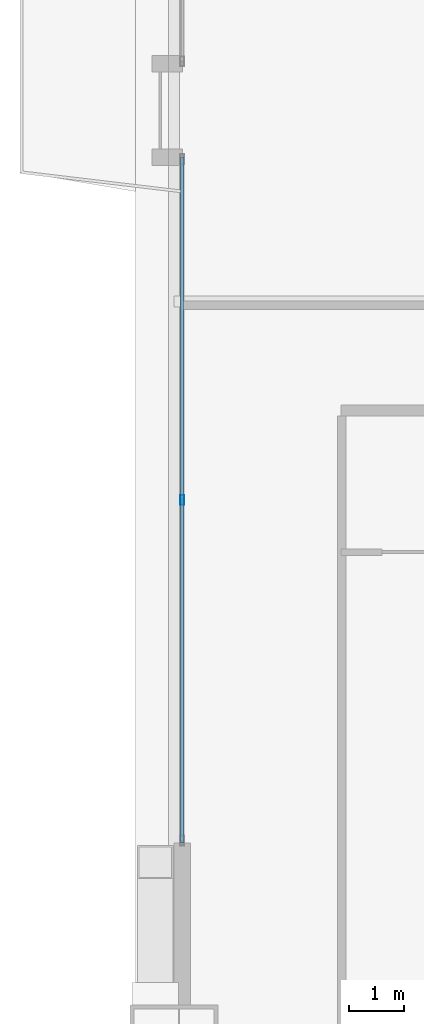
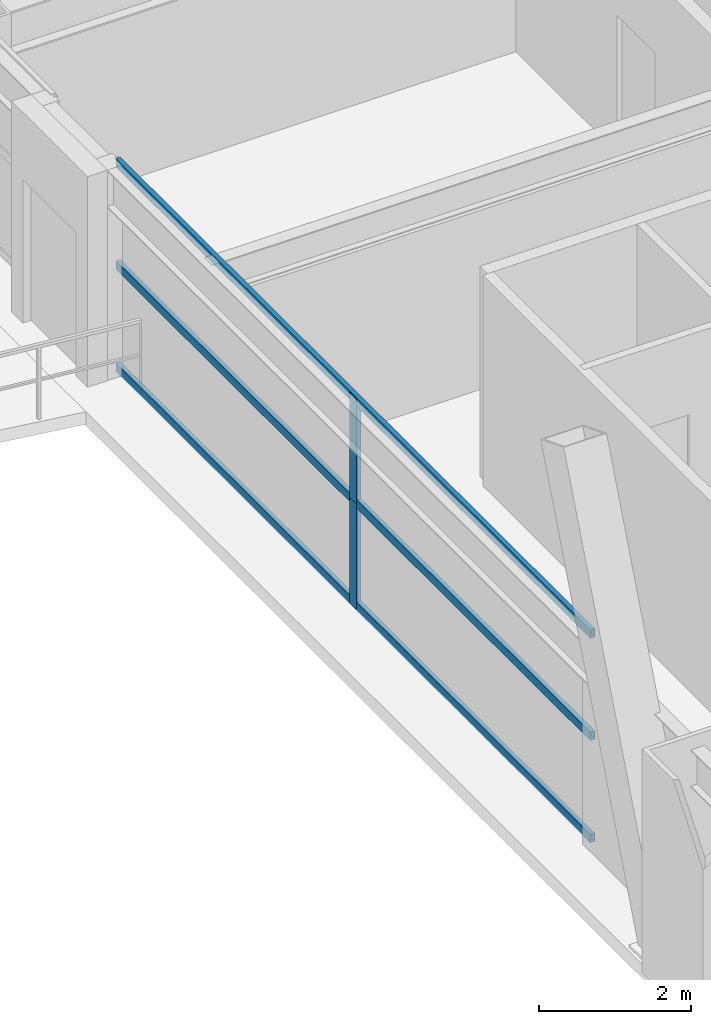
# One storey, part 8 of 42: 5 members, 1 element without a shape of its own.
"""IFC4 building model written with IfcOpenShell, lengths in metres."""

from ifc_helpers import new_model, si_unit, direction, frame, origin, origin_2d, place, context, subcontext, project, spatial, hollow_rectangle, extrude, source, transform, mapped, material, layer, layer_set, material_profile, profile_set, type_object, element, aggregate, save


model = new_model("IFC4")

# Units and contexts
model_context = context("Model", 3, precision=1e-05, world=origin(), true_north=direction((0.0, 1.0)))
body_context = subcontext(model_context, "Body", "Model", "MODEL_VIEW")
ifc_project = project(units=[si_unit("LENGTHUNIT", "METRE"), si_unit("AREAUNIT", "SQUARE_METRE"), si_unit("VOLUMEUNIT", "CUBIC_METRE"), si_unit("PLANEANGLEUNIT", "RADIAN"), si_unit("MASSUNIT", "GRAM", prefix="KILO"), si_unit("THERMODYNAMICTEMPERATUREUNIT", "KELVIN"), si_unit("POWERUNIT", "WATT")], contexts=[model_context])

# Site, building, storey
site_placement = place(None, origin())
site = spatial("IfcSite", under=ifc_project, at=site_placement, CompositionType="ELEMENT")
building_placement = place(site_placement, origin())
building = spatial("IfcBuilding", under=site, at=building_placement, Name="Yuzanri Waterfront Tower", CompositionType="ELEMENT")
storey_placement = place(building_placement, frame((0.0, 0.0, 145.199951171875)))
storey = spatial("IfcBuildingStorey", under=building, at=storey_placement, Name="L38", CompositionType="ELEMENT", Elevation=145.199951171875)

# Curtain wall, members
ifc_material_1 = material(Name="Anodized Architectural Bronze", Category="metal")
ifc_layer = layer(ifc_material_1, 0.159912109375)
ifc_layer_set = layer_set([ifc_layer], Name="Anodized Architectural Bronze")
curtain_wall_type = type_object("IfcCurtainWallType", Name="Anodized Bronze Hotel Upper-Tier Solar-Control Unitized Curtain Wall 7800", PredefinedType="NOTDEFINED", material=ifc_layer_set)
curtain_wall_placement = place(storey_placement, origin())
curtain_wall = element("IfcCurtainWall", 1, at=curtain_wall_placement, inside=storey, type_object=curtain_wall_type, Name="L38 Curtain Wall CW-L38-WL1", PredefinedType="NOTDEFINED")
ifc_material_2 = material(Name="Anodized Architectural Bronze", Category="metal")
ifc_material_profile_1 = material_profile(ifc_material_2, hollow_rectangle(XDim=0.070068359375, YDim=0.179931640625, WallThickness=0.00390625, at=origin_2d()), Name="CWM 70x180")
ifc_profile_set_1 = profile_set([ifc_material_profile_1], Name="Anodized Architectural Bronze")
member_type_1 = type_object("IfcMemberType", Name="Anodized Bronze Standard Curtain-Wall Mullion 70x180", PredefinedType="MULLION", material=ifc_profile_set_1)
shared_shape_1 = source(origin(), body_context, "Body", "SweptSolid", [
    extrude(hollow_rectangle(XDim=0.070068359375, YDim=0.179931640625, WallThickness=0.00390625, at=origin_2d()), origin(), (0.0, 0.0, 1.0), 1.68798828125),
])
member_1_placement = place(storey_placement, frame((13.550048828125, 15.78759765625, 0.0), z_axis=(0.0, 0.0, 1.0), x_axis=(1.0, 0.0, 0.0)))
member_1 = element("IfcMember", 2, at=member_1_placement, type_object=member_type_1, Name="CW-L38-WL1 Lower Mullion 01", PredefinedType="MULLION", context=body_context, shape_type="MappedRepresentation", body=[
    mapped(shared_shape_1, transform((0.0, 0.0, 0.0), scale=1.0)),
])
member_2_placement = place(storey_placement, frame((13.550048828125, 15.78759765625, 1.692138671875), z_axis=(0.0, 0.0, 1.0), x_axis=(1.0, 0.0, 0.0)))
member_2 = element("IfcMember", 3, at=member_2_placement, type_object=member_type_1, Name="CW-L38-WL1 Upper Mullion 01", PredefinedType="MULLION", context=body_context, shape_type="MappedRepresentation", body=[
    mapped(shared_shape_1, transform((0.0, 0.0, 0.0), scale=1.0)),
])
ifc_material_3 = material(Name="Anodized Architectural Bronze", Category="metal")
ifc_material_profile_2 = material_profile(ifc_material_3, hollow_rectangle(XDim=0.070068359375, YDim=0.135009765625, WallThickness=0.00341796875, at=origin_2d()), Name="CWT 70x135")
ifc_profile_set_2 = profile_set([ifc_material_profile_2], Name="Anodized Architectural Bronze")
member_type_2 = type_object("IfcMemberType", Name="Anodized Bronze Standard Curtain-Wall Transom 70x135", PredefinedType="USERDEFINED", material=ifc_profile_set_2)
shared_shape_2 = source(origin(), body_context, "Body", "SweptSolid", [
    extrude(hollow_rectangle(XDim=0.070068359375, YDim=0.135009765625, WallThickness=0.00341796875, at=origin_2d()), origin(), (0.0, 0.0, 1.0), 12.474853515625),
])
member_3_placement = place(storey_placement, frame((13.550048828125, 9.550048828125, 0.050048828125), z_axis=(0.0, 1.0, 0.0), x_axis=(-1.0, 0.0, 0.0)))
member_3 = element("IfcMember", 4, at=member_3_placement, type_object=member_type_2, Name="CW-L38-WL1 Transom 1", ObjectType="TRANSOM", PredefinedType="USERDEFINED", context=body_context, shape_type="MappedRepresentation", body=[
    mapped(shared_shape_2, transform((0.0, 0.0, 0.0), scale=1.0)),
])
member_4_placement = place(storey_placement, frame((13.550048828125, 9.550048828125, 1.68994140625), z_axis=(0.0, 1.0, 0.0), x_axis=(-1.0, 0.0, 0.0)))
member_4 = element("IfcMember", 5, at=member_4_placement, type_object=member_type_2, Name="CW-L38-WL1 Transom 2", ObjectType="TRANSOM", PredefinedType="USERDEFINED", context=body_context, shape_type="MappedRepresentation", body=[
    mapped(shared_shape_2, transform((0.0, 0.0, 0.0), scale=1.0)),
])
member_5_placement = place(storey_placement, frame((13.550048828125, 9.550048828125, 3.330078125), z_axis=(0.0, 1.0, 0.0), x_axis=(-1.0, 0.0, 0.0)))
member_5 = element("IfcMember", 6, at=member_5_placement, type_object=member_type_2, Name="CW-L38-WL1 Transom 3", ObjectType="TRANSOM", PredefinedType="USERDEFINED", context=body_context, shape_type="MappedRepresentation", body=[
    mapped(shared_shape_2, transform((0.0, 0.0, 0.0), scale=1.0)),
])
aggregate(curtain_wall, [member_1, member_2, member_3, member_4, member_5])

save(model, "model.ifc")
